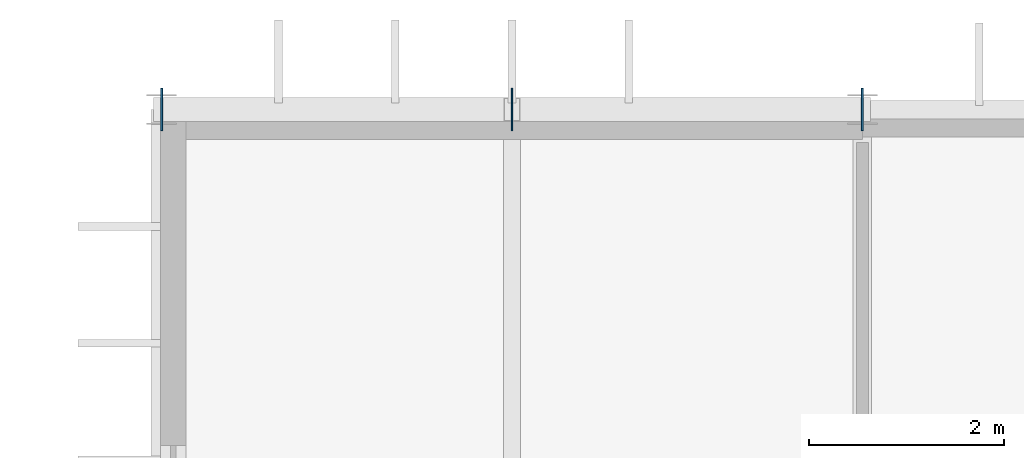
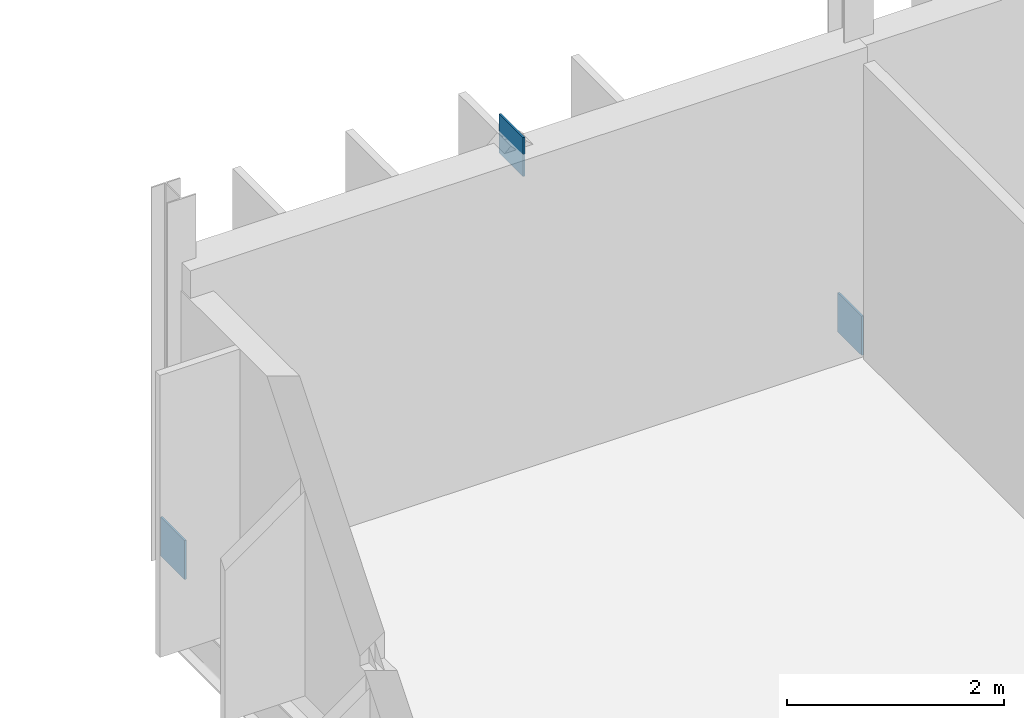
# One storey, part 41 of 61: 3 plates.
"""IFC4 building model written with IfcOpenShell, lengths in metres."""

from ifc_helpers import new_model, si_unit, direction, frame, origin, origin_2d, place, context, subcontext, project, spatial, rectangle, extrude, material, layer, layer_set, type_object, element, save


model = new_model("IFC4")

# Units and contexts
model_context = context("Model", 3, precision=1e-05, world=origin(), true_north=direction((0.0, 1.0)))
body_context = subcontext(model_context, "Body", "Model", "MODEL_VIEW")
ifc_project = project(units=[si_unit("LENGTHUNIT", "METRE"), si_unit("AREAUNIT", "SQUARE_METRE"), si_unit("VOLUMEUNIT", "CUBIC_METRE"), si_unit("PLANEANGLEUNIT", "RADIAN"), si_unit("MASSUNIT", "GRAM", prefix="KILO")], contexts=[model_context])

# Site, building, storey
site_placement = place(None, origin())
site = spatial("IfcSite", under=ifc_project, at=site_placement, CompositionType="ELEMENT")
building_placement = place(site_placement, origin())
building = spatial("IfcBuilding", under=site, at=building_placement, Name="Qelthora Terrace Specialist Clinic", CompositionType="ELEMENT")
storey_placement = place(building_placement, frame((0.0, 0.0, 13.199951171875)))
storey = spatial("IfcBuildingStorey", under=building, at=storey_placement, Name="L03", CompositionType="ELEMENT", Elevation=13.199951171875)

# Plates
ifc_material = material(Name="Steel S355", Category="steel")
ifc_layer = layer(ifc_material, 0.02001953125)
ifc_layer_set = layer_set([ifc_layer], Name="Steel S355")
plate_type = type_object("IfcPlateType", Name="PLT-GUS-480X480X20", PredefinedType="USERDEFINED", material=ifc_layer_set)
for number, where, z_axis, x_axis, name in (
    (1, (57.60009765625, 109.199951171875, -0.0400390625), (0.0, 0.0, 1.0), (1.0, 0.0, 0.0), "Steel truss node plate GPLT-0197"),
    (2, (61.199951171875, 109.199951171875, 3.22998046875), (0.0, 0.0, 1.0), (1.0, 0.0, 0.0), "Steel truss node plate GPLT-0198"),
    (3, (64.800048828125, 109.199951171875, -0.0400390625), (0.0, 0.0, 1.0), (1.0, 0.0, 0.0), "Steel truss node plate GPLT-0199"),
):
    element("IfcPlate", number, at=place(storey_placement, frame(where, z_axis=z_axis, x_axis=x_axis)), inside=storey, type_object=plate_type, Name=name, ObjectType="GUSSET PLATE", PredefinedType="USERDEFINED", context=body_context, shape_type="SweptSolid", body=[
        extrude(rectangle(XDim=0.02001953125, YDim=0.43994140625, at=origin_2d()), origin(), (0.0, 0.0, 1.0), 0.43994140625),
    ])

save(model, "model.ifc")
